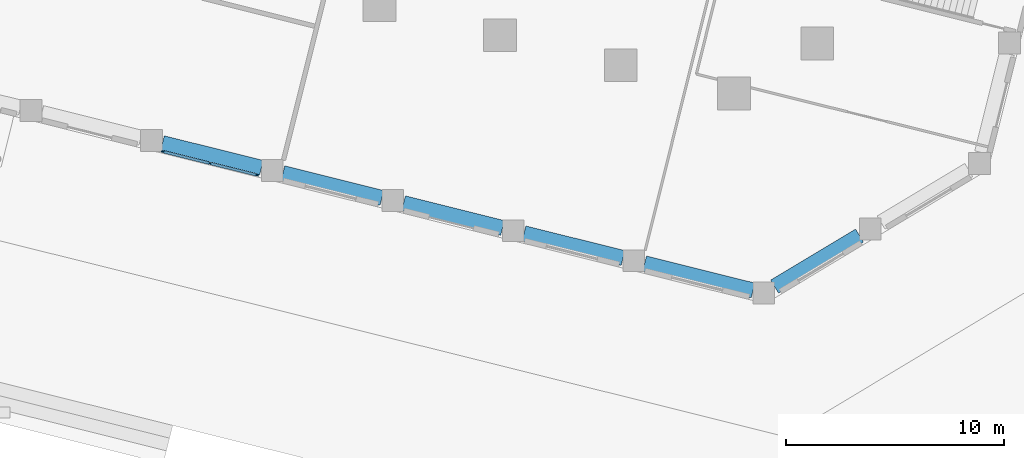
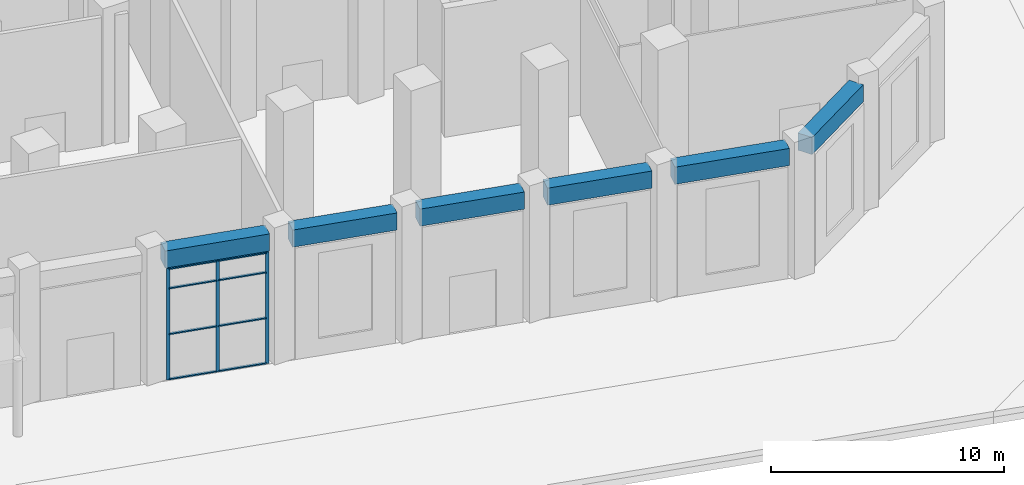
# One storey, part 7 of 27: 11 members, 6 beams, 1 element without a shape of its own.
"""IFC4 building model written with IfcOpenShell, lengths in metres."""

from ifc_helpers import new_model, si_unit, direction, frame, origin, origin_2d, place, context, subcontext, project, spatial, rectangle, extrude, material, material_profile, profile_set, type_object, element, aggregate, save


model = new_model("IFC4")

# Units and contexts
model_context = context("Model", 3, precision=1e-05, world=origin(), true_north=direction((0.0, 1.0)))
body_context = subcontext(model_context, "Body", "Model", "MODEL_VIEW")
ifc_project = project(units=[si_unit("LENGTHUNIT", "METRE"), si_unit("AREAUNIT", "SQUARE_METRE"), si_unit("VOLUMEUNIT", "CUBIC_METRE"), si_unit("PLANEANGLEUNIT", "RADIAN"), si_unit("MASSUNIT", "GRAM", prefix="KILO")], contexts=[model_context])

# Site, building, storey
site_placement = place(None, origin())
site = spatial("IfcSite", under=ifc_project, at=site_placement, CompositionType="ELEMENT")
building_placement = place(site_placement, origin())
building = spatial("IfcBuilding", under=site, at=building_placement, Name="Meshkara Civic Tower", CompositionType="ELEMENT")
storey_placement = place(building_placement, origin())
storey = spatial("IfcBuildingStorey", under=building, at=storey_placement, Name="L00", CompositionType="ELEMENT", Elevation=0.0)

# Curtain wall, members
ifc_material_1 = material(Name="Tinted double glazing", Category="glass")
curtain_wall_type = type_object("IfcCurtainWallType", Name="CW SERVICE HALL FRONT", PredefinedType="NOTDEFINED", material=ifc_material_1)
curtain_wall_placement = place(storey_placement, origin())
curtain_wall = element("IfcCurtainWall", 1, at=curtain_wall_placement, inside=storey, type_object=curtain_wall_type, Name="Curtain wall CW1", PredefinedType="NOTDEFINED")
ifc_material_2 = material(Name="Bronze anodised aluminium", Category="aluminium")
ifc_material_profile_1 = material_profile(ifc_material_2, rectangle(XDim=0.06005859375, YDim=0.159912109375, at=origin_2d()))
ifc_profile_set_1 = profile_set([ifc_material_profile_1], Name="Bronze anodised aluminium")
member_type_1 = type_object("IfcMemberType", Name="CW MULLION 60x160", PredefinedType="MULLION", material=ifc_profile_set_1)
member_1_placement = place(storey_placement, frame((56.7001953125, -22.8662109375, 0.0), z_axis=(0.0, 0.0, 1.0), x_axis=(0.241853732973, 0.970312718585, 0.0)))
member_1 = element("IfcMember", 2, at=member_1_placement, type_object=member_type_1, Name="CW1 mullion 1", PredefinedType="MULLION", context=body_context, shape_type="SweptSolid", body=[
    extrude(rectangle(XDim=0.06005859375, YDim=0.159912109375, at=origin_2d()), origin(), (0.0, 0.0, 1.0), 5.85009765625),
])
member_2_placement = place(storey_placement, frame((58.847412109375, -23.401611328125, 0.0), z_axis=(0.0, 0.0, 1.0), x_axis=(0.241853732973, 0.970312718585, 0.0)))
member_2 = element("IfcMember", 3, at=member_2_placement, type_object=member_type_1, Name="CW1 mullion 2", PredefinedType="MULLION", context=body_context, shape_type="SweptSolid", body=[
    extrude(rectangle(XDim=0.06005859375, YDim=0.159912109375, at=origin_2d()), origin(), (0.0, 0.0, 1.0), 5.85009765625),
])
member_3_placement = place(storey_placement, frame((60.994873046875, -23.936767578125, 0.0), z_axis=(0.0, 0.0, 1.0), x_axis=(0.241853732973, 0.970312718585, 0.0)))
member_3 = element("IfcMember", 4, at=member_3_placement, type_object=member_type_1, Name="CW1 mullion 3", PredefinedType="MULLION", context=body_context, shape_type="SweptSolid", body=[
    extrude(rectangle(XDim=0.06005859375, YDim=0.159912109375, at=origin_2d()), origin(), (0.0, 0.0, 1.0), 5.85009765625),
])
ifc_material_3 = material(Name="Bronze anodised aluminium", Category="aluminium")
ifc_material_profile_2 = material_profile(ifc_material_3, rectangle(XDim=0.1201171875, YDim=0.06005859375, at=origin_2d()))
ifc_profile_set_2 = profile_set([ifc_material_profile_2], Name="Bronze anodised aluminium")
member_type_2 = type_object("IfcMemberType", Name="CW TRANSOM 60x120", PredefinedType="USERDEFINED", material=ifc_profile_set_2)
member_4_placement = place(storey_placement, frame((56.729248046875, -22.87353515625, 0.030029296875), z_axis=(0.970309026133, -0.24186854654, 0.0), x_axis=(0.24186854654, 0.970309026133, 0.0)))
member_4 = element("IfcMember", 5, at=member_4_placement, type_object=member_type_2, Name="CW1 transom 1.1", ObjectType="TRANSOM", PredefinedType="USERDEFINED", context=body_context, shape_type="SweptSolid", body=[
    extrude(rectangle(XDim=0.1201171875, YDim=0.06005859375, at=origin_2d()), origin(), (0.0, 0.0, 1.0), 2.153076171875),
])
member_5_placement = place(storey_placement, frame((56.729248046875, -22.87353515625, 2.39990234375), z_axis=(0.970309026133, -0.24186854654, 0.0), x_axis=(0.24186854654, 0.970309026133, 0.0)))
member_5 = element("IfcMember", 6, at=member_5_placement, type_object=member_type_2, Name="CW1 transom 1.2", ObjectType="TRANSOM", PredefinedType="USERDEFINED", context=body_context, shape_type="SweptSolid", body=[
    extrude(rectangle(XDim=0.1201171875, YDim=0.06005859375, at=origin_2d()), origin(), (0.0, 0.0, 1.0), 2.153076171875),
])
member_6_placement = place(storey_placement, frame((56.729248046875, -22.87353515625, 4.800048828125), z_axis=(0.970309026133, -0.24186854654, 0.0), x_axis=(0.24186854654, 0.970309026133, 0.0)))
member_6 = element("IfcMember", 7, at=member_6_placement, type_object=member_type_2, Name="CW1 transom 1.3", ObjectType="TRANSOM", PredefinedType="USERDEFINED", context=body_context, shape_type="SweptSolid", body=[
    extrude(rectangle(XDim=0.1201171875, YDim=0.06005859375, at=origin_2d()), origin(), (0.0, 0.0, 1.0), 2.153076171875),
])
member_7_placement = place(storey_placement, frame((56.729248046875, -22.87353515625, 5.820068359375), z_axis=(0.970309026133, -0.24186854654, 0.0), x_axis=(0.24186854654, 0.970309026133, 0.0)))
member_7 = element("IfcMember", 8, at=member_7_placement, type_object=member_type_2, Name="CW1 transom 1.4", ObjectType="TRANSOM", PredefinedType="USERDEFINED", context=body_context, shape_type="SweptSolid", body=[
    extrude(rectangle(XDim=0.1201171875, YDim=0.06005859375, at=origin_2d()), origin(), (0.0, 0.0, 1.0), 2.153076171875),
])
member_8_placement = place(storey_placement, frame((58.876708984375, -23.40869140625, 0.030029296875), z_axis=(0.970309026133, -0.24186854654, 0.0), x_axis=(0.24186854654, 0.970309026133, 0.0)))
member_8 = element("IfcMember", 9, at=member_8_placement, type_object=member_type_2, Name="CW1 transom 2.1", ObjectType="TRANSOM", PredefinedType="USERDEFINED", context=body_context, shape_type="SweptSolid", body=[
    extrude(rectangle(XDim=0.1201171875, YDim=0.06005859375, at=origin_2d()), origin(), (0.0, 0.0, 1.0), 2.153076171875),
])
member_9_placement = place(storey_placement, frame((58.876708984375, -23.40869140625, 2.39990234375), z_axis=(0.970309026133, -0.24186854654, 0.0), x_axis=(0.24186854654, 0.970309026133, 0.0)))
member_9 = element("IfcMember", 10, at=member_9_placement, type_object=member_type_2, Name="CW1 transom 2.2", ObjectType="TRANSOM", PredefinedType="USERDEFINED", context=body_context, shape_type="SweptSolid", body=[
    extrude(rectangle(XDim=0.1201171875, YDim=0.06005859375, at=origin_2d()), origin(), (0.0, 0.0, 1.0), 2.153076171875),
])
member_10_placement = place(storey_placement, frame((58.876708984375, -23.40869140625, 4.800048828125), z_axis=(0.970309026133, -0.24186854654, 0.0), x_axis=(0.24186854654, 0.970309026133, 0.0)))
member_10 = element("IfcMember", 11, at=member_10_placement, type_object=member_type_2, Name="CW1 transom 2.3", ObjectType="TRANSOM", PredefinedType="USERDEFINED", context=body_context, shape_type="SweptSolid", body=[
    extrude(rectangle(XDim=0.1201171875, YDim=0.06005859375, at=origin_2d()), origin(), (0.0, 0.0, 1.0), 2.153076171875),
])
member_11_placement = place(storey_placement, frame((58.876708984375, -23.40869140625, 5.820068359375), z_axis=(0.970309026133, -0.24186854654, 0.0), x_axis=(0.24186854654, 0.970309026133, 0.0)))
member_11 = element("IfcMember", 12, at=member_11_placement, type_object=member_type_2, Name="CW1 transom 2.4", ObjectType="TRANSOM", PredefinedType="USERDEFINED", context=body_context, shape_type="SweptSolid", body=[
    extrude(rectangle(XDim=0.1201171875, YDim=0.06005859375, at=origin_2d()), origin(), (0.0, 0.0, 1.0), 2.153076171875),
])
aggregate(curtain_wall, [member_1, member_2, member_3, member_4, member_5, member_6, member_7, member_8, member_9, member_10, member_11])

# Beams
ifc_material_4 = material(Name="Concrete C60", Category="concrete")
ifc_material_profile_3 = material_profile(ifc_material_4, rectangle(XDim=0.699951171875, YDim=0.89990234375, at=origin_2d()))
ifc_profile_set_3 = profile_set([ifc_material_profile_3], Name="Concrete C60")
beam_type = type_object("IfcBeamType", Name="Spandrel beam RC 700x900 C60", PredefinedType="BEAM", material=ifc_profile_set_3)
beam_1_placement = place(storey_placement, frame((56.6669921875, -22.4765625, 6.300048828125), z_axis=(0.970298839963, -0.241909406941, 0.0), x_axis=(0.241909406941, 0.970298839963, 0.0)))
element("IfcBeam", 13, at=beam_1_placement, inside=storey, type_object=beam_type, Name="Spandrel beam PD04-08-PD04-09", PredefinedType="BEAM", context=body_context, shape_type="SweptSolid", body=[
    extrude(rectangle(XDim=0.699951171875, YDim=0.89990234375, at=origin_2d()), origin(), (0.0, 0.0, 1.0), 4.6787109375),
])
for number, where, z_axis, x_axis, name in (
    (14, (62.197021484375, -23.85546875, 6.300048828125), (0.970298806378, -0.241909541651, 0.0), (0.241909541651, 0.970298806378, 0.0), "Spandrel beam PD04-09-PD04-10"),
    (15, (67.72802734375, -25.234619140625, 6.300048828125), (0.970311050729, -0.24186042428, 0.0), (0.24186042428, 0.970311050729, 0.0), "Spandrel beam PD04-10-PD04-11"),
):
    element("IfcBeam", number, at=place(storey_placement, frame(where, z_axis=z_axis, x_axis=x_axis)), inside=storey, type_object=beam_type, Name=name, PredefinedType="BEAM", context=body_context, shape_type="SweptSolid", body=[
        extrude(rectangle(XDim=0.699951171875, YDim=0.89990234375, at=origin_2d()), origin(), (0.0, 0.0, 1.0), 4.6796875),
    ])
beam_2_placement = place(storey_placement, frame((73.259033203125, -26.613525390625, 6.300048828125), z_axis=(0.970286590806, -0.241958533023, 0.0), x_axis=(0.241958533023, 0.970286590806, 0.0)))
element("IfcBeam", 16, at=beam_2_placement, inside=storey, type_object=beam_type, Name="Spandrel beam PD04-11-PD04-12", PredefinedType="BEAM", context=body_context, shape_type="SweptSolid", body=[
    extrude(rectangle(XDim=0.699951171875, YDim=0.89990234375, at=origin_2d()), origin(), (0.0, 0.0, 1.0), 4.6787109375),
])
beam_3_placement = place(storey_placement, frame((78.7890625, -27.992431640625, 6.300048828125), z_axis=(0.970313224603, -0.241851702828, 0.0), x_axis=(0.241851702828, 0.970313224603, 0.0)))
element("IfcBeam", 17, at=beam_3_placement, inside=storey, type_object=beam_type, Name="Spandrel beam PD04-12-PD04-E", PredefinedType="BEAM", context=body_context, shape_type="SweptSolid", body=[
    extrude(rectangle(XDim=0.699951171875, YDim=0.89990234375, at=origin_2d()), origin(), (0.0, 0.0, 1.0), 5.1240234375),
])
beam_4_placement = place(storey_placement, frame((84.751708984375, -29.05712890625, 6.300048828125), z_axis=(0.857141884297, 0.515080372547, 0.0), x_axis=(-0.515080372547, 0.857141884297, 0.0)))
element("IfcBeam", 18, at=beam_4_placement, inside=storey, type_object=beam_type, Name="Spandrel beam PD04-E-PD05-01", PredefinedType="BEAM", context=body_context, shape_type="SweptSolid", body=[
    extrude(rectangle(XDim=0.699951171875, YDim=0.89990234375, at=origin_2d()), origin(), (0.0, 0.0, 1.0), 4.543701171875),
])

save(model, "model.ifc")
